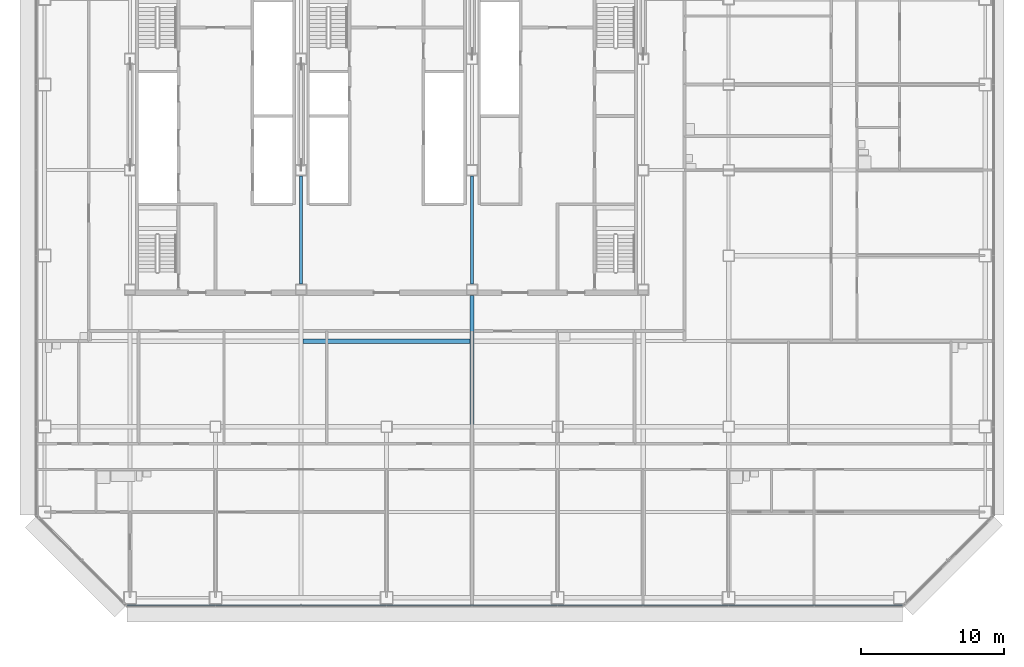
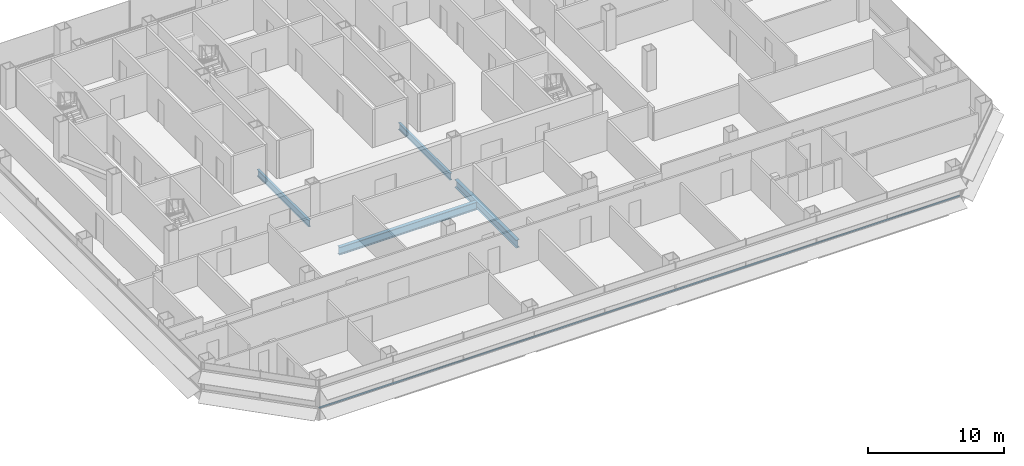
# One storey, part 7 of 27: 4 beams, 1 member, 1 element without a shape of its own.
"""IFC4 building model written with IfcOpenShell, lengths in metres."""

import ifcopenshell
import ifcopenshell.guid

model = None  # the IFC model being written
_history = None  # IfcOwnerHistory: only IFC2X3 demands one
_inside = {}  # id of a spatial element -> (the spatial element, [elements in it])
_under = {}  # id of a project, library or spatial element -> (it, [spatial elements below it])
_declared = {}  # id of a project -> (the project, [libraries it declares])
_typed = {}  # id of a type object -> (the type object, [elements of that type])
_made_of = {}  # id of a material, layer set ... -> (it, [elements and type objects made of it])


def new_model(schema):
    """Start an empty IFC model of exactly this schema.

    Asked for "IFC4X3", IfcOpenShell would pick the latest addendum, in which some entities
    have other attributes; the version numbers below select the first issue.
    IFC2X3 requires an IfcOwnerHistory on every rooted entity: one is made here for all.
    """
    global model, _history
    if schema == "IFC4X3":
        model = ifcopenshell.file(schema_version=(4, 3, 0, 0))
    else:
        model = ifcopenshell.file(schema=schema)
    _inside.clear()
    _under.clear()
    _declared.clear()
    _typed.clear()
    _made_of.clear()
    _history = None
    if model.schema == "IFC2X3":
        org = make("IfcOrganization", Name="unknown")
        user = make(
            "IfcPersonAndOrganization",
            ThePerson=make("IfcPerson", FamilyName="unknown"),
            TheOrganization=org,
        )
        app = make(
            "IfcApplication",
            ApplicationDeveloper=org,
            Version="unknown",
            ApplicationFullName="unknown",
            ApplicationIdentifier="unknown",
        )
        _history = make(
            "IfcOwnerHistory",
            OwningUser=user,
            OwningApplication=app,
            ChangeAction="ADDED",
            CreationDate=0,
        )
    return model


def make(cls, **values):
    """One entity of the class cls with the attributes given. An attribute that is None is left unset."""
    return model.create_entity(
        cls, **{name: value for name, value in values.items() if value is not None}
    )


def rooted(cls, **values):
    """An entity with a GlobalId (a new one), such as an element, a storey or a relation."""
    return make(cls, GlobalId=ifcopenshell.guid.new(), OwnerHistory=_history, **values)


def si_unit(unit_type, name, prefix=None):
    """IfcSIUnit, for example si_unit("LENGTHUNIT", "METRE", prefix="MILLI")."""
    return make("IfcSIUnit", UnitType=unit_type, Prefix=prefix, Name=name)


def assignment(units):
    """IfcUnitAssignment: the units of a project."""
    return None if units is None else make("IfcUnitAssignment", Units=units)


def point(xyz):
    """IfcCartesianPoint."""
    return None if xyz is None else make("IfcCartesianPoint", Coordinates=xyz)


def direction(xyz):
    """IfcDirection."""
    return None if xyz is None else make("IfcDirection", DirectionRatios=xyz)


def frame(location, z_axis=None, x_axis=None):
    """IfcAxis2Placement3D, a coordinate frame: its origin and axes. An axis left out is left unset."""
    return make(
        "IfcAxis2Placement3D",
        Location=point(location),
        Axis=direction(z_axis),
        RefDirection=direction(x_axis),
    )


def frame_2d(location, x_axis=None):
    """IfcAxis2Placement2D, a coordinate frame in the plane: its origin and x axis."""
    return make(
        "IfcAxis2Placement2D", Location=point(location), RefDirection=direction(x_axis)
    )


def origin():
    """The frame at (0, 0, 0) with its axes left unset."""
    return frame((0.0, 0.0, 0.0))


def origin_2d():
    """The frame at (0, 0) in the plane with its x axis left unset."""
    return frame_2d((0.0, 0.0))


def place(relative_to, where):
    """IfcLocalPlacement: puts the frame where relative to a parent placement (None: the world)."""
    return make(
        "IfcLocalPlacement", PlacementRelTo=relative_to, RelativePlacement=where
    )


def context(
    kind, dimensions, precision=None, world=None, true_north=None, identifier=None
):
    """IfcGeometricRepresentationContext, for example the 3D "Model" context."""
    return make(
        "IfcGeometricRepresentationContext",
        ContextIdentifier=identifier,
        ContextType=kind,
        CoordinateSpaceDimension=dimensions,
        Precision=precision,
        WorldCoordinateSystem=world,
        TrueNorth=true_north,
    )


def subcontext(parent, identifier, kind, view, scale=None):
    """IfcGeometricRepresentationSubContext, for example "Body" below "Model"."""
    return make(
        "IfcGeometricRepresentationSubContext",
        ContextIdentifier=identifier,
        ContextType=kind,
        ParentContext=parent,
        TargetScale=scale,
        TargetView=view,
    )


def project(units=None, contexts=None):
    """IfcProject with its units and contexts."""
    return rooted(
        "IfcProject",
        Name="project",
        RepresentationContexts=contexts,
        UnitsInContext=assignment(units),
    )


def spatial(cls, under=None, at=None, **own):
    """A site, building, storey or space (cls), placed at a placement, below another one or the project."""
    s = rooted(cls, ObjectPlacement=at, **own)
    if under is not None:
        _under.setdefault(under.id(), (under, []))[1].append(s)
    return s


def profile(cls, at=None, kind="AREA", **sizes):
    """A parametric profile (cls). Its sizes go by their IFC names, for example OverallWidth=200.0."""
    return make(cls, ProfileType=kind, Position=at, **sizes)


def rectangle(**sizes):
    """IfcRectangleProfileDef."""
    return profile("IfcRectangleProfileDef", **sizes)


def i_section(**sizes):
    """IfcIShapeProfileDef."""
    return profile("IfcIShapeProfileDef", **sizes)


def extrude(swept, where, along, depth):
    """IfcExtrudedAreaSolid: the profile swept, set in the frame where, extruded along a direction by depth."""
    return make(
        "IfcExtrudedAreaSolid",
        SweptArea=swept,
        Position=where,
        ExtrudedDirection=direction(along),
        Depth=depth,
    )


def shape(context_of_items, identifier, shape_type, items):
    """IfcShapeRepresentation: the items that make up one representation, for example the "Body"."""
    return make(
        "IfcShapeRepresentation",
        ContextOfItems=context_of_items,
        RepresentationIdentifier=identifier,
        RepresentationType=shape_type,
        Items=items,
    )


def material(Name=None, Category=None):
    """IfcMaterial."""
    return make("IfcMaterial", Name=Name, Category=Category)


def material_profile(
    of_material, cross_section, Name=None, Category=None, Priority=None
):
    """IfcMaterialProfile: a cross section and its material."""
    return make(
        "IfcMaterialProfile",
        Name=Name,
        Material=of_material,
        Profile=cross_section,
        Priority=Priority,
        Category=Category,
    )


def profile_set(profiles, Name=None, composite=None):
    """IfcMaterialProfileSet."""
    return make(
        "IfcMaterialProfileSet",
        Name=Name,
        MaterialProfiles=profiles,
        CompositeProfile=composite,
    )


def made_of(thing, what):
    """Note that an element or type object is made of a material, layer set ...; save() writes the relation."""
    if what is not None:
        _made_of.setdefault(what.id(), (what, []))[1].append(thing)
    return thing


def type_object(cls, material=None, **own):
    """A type object (cls), such as IfcWallType, which elements share."""
    return made_of(rooted(cls, **own), material)


def element(
    cls,
    number,
    at=None,
    inside=None,
    cuts=None,
    type_object=None,
    material=None,
    context=None,
    identifier="Body",
    shape_type=None,
    held_by="IfcProductDefinitionShape",
    body=None,
    shapes=None,
    **own,
):
    """One element of the class cls, such as IfcWall. Its Tag is "e" and its number.

    at: its placement. inside: the storey or other place that contains it. cuts: it is an
    opening in that element (IfcRelVoidsElement). A single representation is given by context,
    identifier, shape_type and body (its items); several are given by shapes. held_by: the class
    of the entity that holds the representations. save() writes the other relations.
    """
    e = rooted(cls, Tag="e%d" % number, ObjectPlacement=at, **own)
    if body is not None:
        shapes = [shape(context, identifier, shape_type, body)]
    if shapes is not None:
        e.Representation = make(held_by, Representations=shapes)
    if inside is not None:
        _inside.setdefault(inside.id(), (inside, []))[1].append(e)
    if cuts is not None:
        rooted(
            "IfcRelVoidsElement", RelatingBuildingElement=cuts, RelatedOpeningElement=e
        )
    if type_object is not None:
        _typed.setdefault(type_object.id(), (type_object, []))[1].append(e)
    return made_of(e, material)


def aggregate(whole, parts):
    """IfcRelAggregates: a whole, such as a stair, and the parts it consists of."""
    return rooted("IfcRelAggregates", RelatingObject=whole, RelatedObjects=parts)


def save(model, path):
    """Write the relations noted so far, then the file.

    IfcRelAggregates (storeys below a building ...), IfcRelContainedInSpatialStructure (elements
    in a storey), IfcRelDefinesByType, IfcRelAssociatesMaterial and IfcRelDeclares: one each for
    every whole, place, type object, material and project.
    """
    for whole, parts in _under.values():
        aggregate(whole, parts)
    for where, things in _inside.values():
        rooted(
            "IfcRelContainedInSpatialStructure",
            RelatedElements=things,
            RelatingStructure=where,
        )
    for kind, things in _typed.values():
        rooted("IfcRelDefinesByType", RelatedObjects=things, RelatingType=kind)
    for what, things in _made_of.values():
        rooted("IfcRelAssociatesMaterial", RelatedObjects=things, RelatingMaterial=what)
    for by, libraries in _declared.values():
        rooted("IfcRelDeclares", RelatingContext=by, RelatedDefinitions=libraries)
    model.write(path)


model = new_model("IFC4")

# Units and contexts
model_context = context("Model", 3, precision=1e-05, world=origin(), true_north=direction((0.0, 1.0)))
body_context = subcontext(model_context, "Body", "Model", "MODEL_VIEW")
ifc_project = project(units=[si_unit("LENGTHUNIT", "METRE"), si_unit("AREAUNIT", "SQUARE_METRE"), si_unit("VOLUMEUNIT", "CUBIC_METRE"), si_unit("PLANEANGLEUNIT", "RADIAN"), si_unit("MASSUNIT", "GRAM", prefix="KILO")], contexts=[model_context])

# Site, building, storey
site_placement = place(None, origin())
site = spatial("IfcSite", under=ifc_project, at=site_placement, CompositionType="ELEMENT")
building_placement = place(site_placement, origin())
building = spatial("IfcBuilding", under=site, at=building_placement, Name="Sorahane Residences", CompositionType="ELEMENT")
storey_placement = place(building_placement, frame((0.0, 0.0, 75.0)))
storey = spatial("IfcBuildingStorey", under=building, at=storey_placement, Name="L15", CompositionType="ELEMENT", Elevation=75.0)

# Curtain wall, member
ifc_material_1 = material(Name="Dark low-e glass and black anodised aluminium", Category="aluminium")
curtain_wall_type = type_object("IfcCurtainWallType", Name="Curtain wall CW-1 Typical unitised wall", PredefinedType="NOTDEFINED", material=ifc_material_1)
curtain_wall_placement = place(storey_placement, origin())
curtain_wall = element("IfcCurtainWall", 1, at=curtain_wall_placement, inside=storey, type_object=curtain_wall_type, Name="CW-1 curtain wall L15 S1", PredefinedType="NOTDEFINED")
ifc_material_2 = material(Name="Black anodised aluminium", Category="aluminium")
ifc_material_profile_1 = material_profile(ifc_material_2, rectangle(XDim=0.10009765625, YDim=0.06005859375, at=origin_2d()), Name="Curtain wall transom CW-1 black anodised aluminium 60x100")
ifc_profile_set_1 = profile_set([ifc_material_profile_1], Name="Black anodised aluminium")
member_type = type_object("IfcMemberType", Name="Curtain wall transom CW-1 black anodised aluminium 60x100", PredefinedType="USERDEFINED", material=ifc_profile_set_1)
member_placement = place(storey_placement, frame((5.801513671875, -0.530029296875, 0.89990234375), z_axis=(1.0, 0.0, 0.0), x_axis=(0.0, 1.0, 0.0)))
member = element("IfcMember", 2, at=member_placement, type_object=member_type, Name="CW-1 transom L15 S1", ObjectType="TRANSOM", PredefinedType="USERDEFINED", context=body_context, shape_type="SweptSolid", body=[
    extrude(rectangle(XDim=0.10009765625, YDim=0.06005859375, at=origin_2d()), origin(), (0.0, 0.0, 1.0), 54.39697265625),
])
aggregate(curtain_wall, [member])

# Beams
ifc_material_3 = material(Name="Steel Q355B", Category="steel")
ifc_material_profile_2 = material_profile(ifc_material_3, i_section(OverallWidth=0.199951171875, OverallDepth=0.60009765625, WebThickness=0.010986328125, FlangeThickness=0.01708984375, FilletRadius=0.02392578125, at=origin_2d()), Name="HN 600x200x11x17")
ifc_profile_set_2 = profile_set([ifc_material_profile_2], Name="Steel Q355B")
beam_type_1 = type_object("IfcBeamType", Name="Steel floor beam HN 600x200x11x17 Q355B", PredefinedType="BEAM", material=ifc_profile_set_2)
for number, where, z_axis, x_axis, name in (
    (3, (18.0, 22.0, -0.47998046875), (0.0, 1.0, 0.0), (-1.0, 0.0, 0.0), "Beam L15 031"),
    (4, (30.0, 22.0, -0.47998046875), (0.0, 1.0, 0.0), (-1.0, 0.0, 0.0), "Beam L15 039"),
):
    element("IfcBeam", number, at=place(storey_placement, frame(where, z_axis=z_axis, x_axis=x_axis)), inside=storey, type_object=beam_type_1, Name=name, PredefinedType="BEAM", context=body_context, shape_type="SweptSolid", body=[
        extrude(i_section(OverallWidth=0.199951171875, OverallDepth=0.60009765625, WebThickness=0.010986328125, FlangeThickness=0.01708984375, FilletRadius=0.02392578125, at=origin_2d()), origin(), (0.0, 0.0, 1.0), 7.60009765625),
    ])
ifc_material_4 = material(Name="Steel Q355B", Category="steel")
ifc_material_profile_3 = material_profile(ifc_material_4, i_section(OverallWidth=0.300048828125, OverallDepth=0.699951171875, WebThickness=0.012939453125, FlangeThickness=0.02392578125, FilletRadius=0.028076171875, at=origin_2d()), Name="HN 700x300x13x24")
ifc_profile_set_3 = profile_set([ifc_material_profile_3], Name="Steel Q355B")
beam_type_2 = type_object("IfcBeamType", Name="Steel floor beam HN 700x300x13x24 Q355B", PredefinedType="BEAM", material=ifc_profile_set_3)
beam_1_placement = place(storey_placement, frame((30.0, 12.14990234375, -0.530029296875), z_axis=(0.0, 1.0, 0.0), x_axis=(-1.0, 0.0, 0.0)))
element("IfcBeam", 5, at=beam_1_placement, inside=storey, type_object=beam_type_2, Name="Beam L15 038", PredefinedType="BEAM", context=body_context, shape_type="SweptSolid", body=[
    extrude(i_section(OverallWidth=0.300048828125, OverallDepth=0.699951171875, WebThickness=0.012939453125, FlangeThickness=0.02392578125, FilletRadius=0.028076171875, at=origin_2d()), origin(), (0.0, 0.0, 1.0), 9.050048828125),
])
beam_2_placement = place(storey_placement, frame((18.14990234375, 18.0, -0.530029296875), z_axis=(1.0, 0.0, 0.0), x_axis=(0.0, 1.0, 0.0)))
element("IfcBeam", 6, at=beam_2_placement, inside=storey, type_object=beam_type_2, Name="Beam L15 072", PredefinedType="BEAM", context=body_context, shape_type="SweptSolid", body=[
    extrude(i_section(OverallWidth=0.300048828125, OverallDepth=0.699951171875, WebThickness=0.012939453125, FlangeThickness=0.02392578125, FilletRadius=0.028076171875, at=origin_2d()), origin(), (0.0, 0.0, 1.0), 11.7001953125),
])

save(model, "model.ifc")
